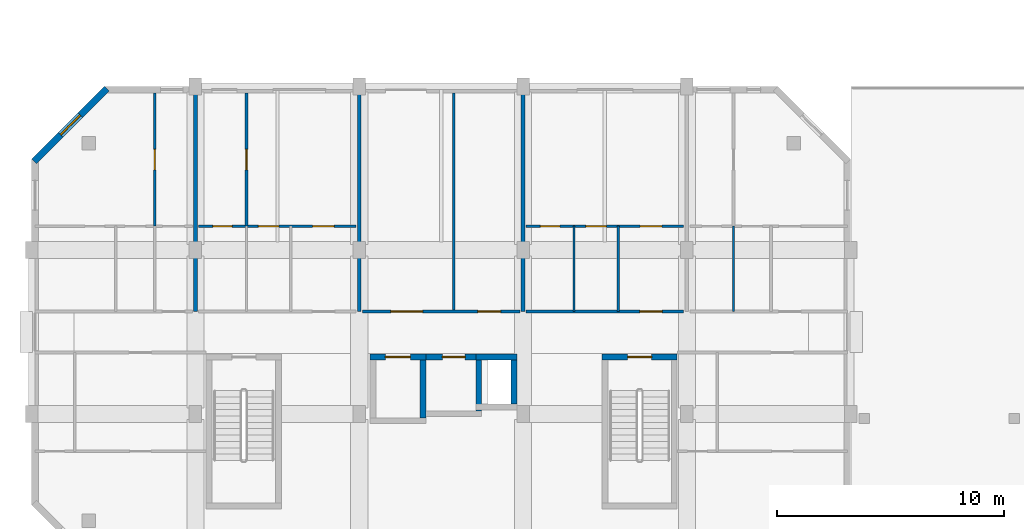
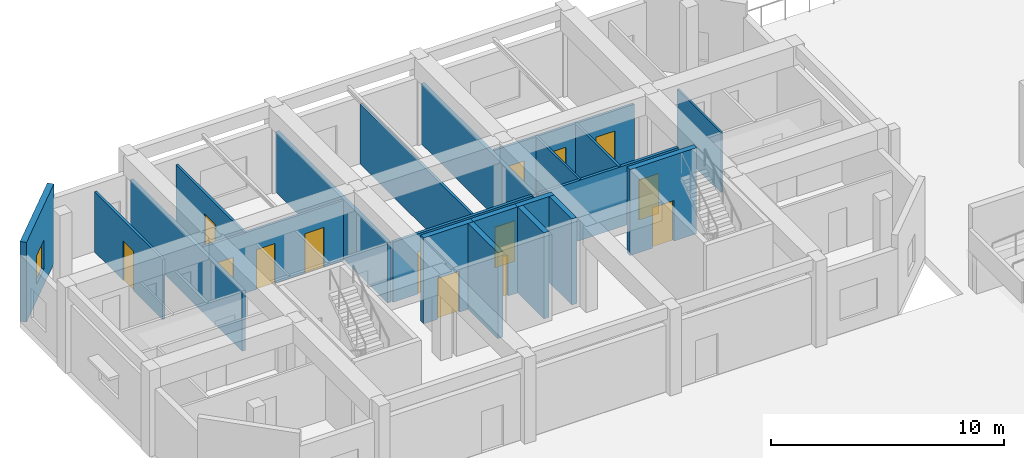
# One storey, part 60 of 85: 21 walls, 14 doors, 1 window, 15 openings.
"""IFC4 building model written with IfcOpenShell, lengths in metres."""

from ifc_helpers import new_model, si_unit, direction, frame, frame_2d, origin, place, context, subcontext, project, spatial, rectangle, extrude, material, layer, layer_set, type_object, element, fill, save


model = new_model("IFC4")

# Units and contexts
model_context = context("Model", 3, precision=1e-05, world=origin(), true_north=direction((0.0, 1.0)))
body_context = subcontext(model_context, "Body", "Model", "MODEL_VIEW")
ifc_project = project(units=[si_unit("LENGTHUNIT", "METRE"), si_unit("AREAUNIT", "SQUARE_METRE"), si_unit("VOLUMEUNIT", "CUBIC_METRE"), si_unit("PLANEANGLEUNIT", "RADIAN"), si_unit("MASSUNIT", "GRAM", prefix="KILO")], contexts=[model_context])

# Site, building, storey
site_placement = place(None, origin())
site = spatial("IfcSite", under=ifc_project, at=site_placement, CompositionType="ELEMENT")
building_placement = place(site_placement, origin())
building = spatial("IfcBuilding", under=site, at=building_placement, Name="Ochrevale Crest", CompositionType="ELEMENT")
storey_placement = place(building_placement, origin())
storey = spatial("IfcBuildingStorey", under=building, at=storey_placement, Name="L00", CompositionType="ELEMENT", Elevation=0.0)

# Wall, openings, doors
ifc_material_1 = material(Name="Gypsum plasterboard", Category="gypsum")
ifc_layer_1 = layer(ifc_material_1, 0.139892578125)
ifc_layer_set_1 = layer_set([ifc_layer_1], Name="Gypsum plasterboard")
wall_type_1 = type_object("IfcWallType", Name="WL-COR-140", PredefinedType="PARTITIONING", material=ifc_layer_set_1)
wall_1_placement = place(storey_placement, frame((14.5400390625, 83.699951171875, 0.0), z_axis=(0.0, 0.0, 1.0), x_axis=(1.0, 0.0, 0.0)))
wall_1 = element("IfcWall", 1, at=wall_1_placement, inside=storey, type_object=wall_type_1, Name="Block B ground lobby corridor wall", PredefinedType="PARTITIONING", context=body_context, shape_type="SweptSolid", body=[
    extrude(rectangle(XDim=6.919921875, YDim=0.139892578125, at=frame_2d((3.4599609375, 0.0))), origin(), (0.0, 0.0, 1.0), 3.14990234375),
])
opening_1_placement = place(wall_1_placement, frame((1.25, 0.0, 0.0)))
opening_1 = element("IfcOpeningElement", 2, at=opening_1_placement, cuts=wall_1, Name="Opening ID10", PredefinedType="OPENING", context=body_context, shape_type="SweptSolid", body=[
    extrude(rectangle(XDim=1.39990234375, YDim=2.219970703125, at=frame_2d((0.699951171875, 1.10986328125))), frame((0.0, 0.080078125, 0.0), z_axis=(0.0, -1.0, 0.0), x_axis=(1.0, 0.0, 0.0)), (0.0, 0.0, 1.0), 0.159912109375),
])
opening_2_placement = place(wall_1_placement, frame((6.070068359375, 0.0, 0.0), z_axis=(0.0, 0.0, 1.0), x_axis=(-1.0, 0.0, 0.0)))
opening_2 = element("IfcOpeningElement", 3, at=opening_2_placement, cuts=wall_1, Name="Opening ID07", PredefinedType="OPENING", context=body_context, shape_type="SweptSolid", body=[
    extrude(rectangle(XDim=1.0, YDim=2.1201171875, at=frame_2d((0.5, 1.06005859375))), frame((0.0, 0.080078125, 0.0), z_axis=(0.0, -1.0, 0.0), x_axis=(1.0, 0.0, 0.0)), (0.0, 0.0, 1.0), 0.159912109375),
])
ifc_material_2 = material(Name="Solid-core FSC hardwood", Category="wood")
door_type_1 = type_object("IfcDoorType", Name="DR-INT-1000", OperationType="NOTDEFINED", PredefinedType="DOOR", material=ifc_material_2)
door_1_placement = place(opening_2_placement, origin())
door_1 = element("IfcDoor", 4, at=door_1_placement, inside=storey, type_object=door_type_1, Name="Block B mail room door", OperationType="SINGLE_SWING_RIGHT", OverallHeight=2.1201171875, OverallWidth=1.0, PredefinedType="DOOR", context=body_context, shape_type="SweptSolid", body=[
    extrude(rectangle(XDim=1.0, YDim=2.1201171875, at=frame_2d((0.5, 1.06005859375))), frame((0.0, 0.02490234375, 0.0), z_axis=(0.0, -1.0, 0.0), x_axis=(1.0, 0.0, 0.0)), (0.0, 0.0, 1.0), 0.050048828125),
])
fill(opening_2, door_1)
door_type_2 = type_object("IfcDoorType", Name="DR-INT-1400", OperationType="NOTDEFINED", PredefinedType="DOOR", material=ifc_material_2)
door_2_placement = place(opening_1_placement, origin())
door_2 = element("IfcDoor", 5, at=door_2_placement, inside=storey, type_object=door_type_2, Name="Block B entrance lobby inner door", OperationType="DOUBLE_DOOR_SINGLE_SWING", OverallHeight=2.219970703125, OverallWidth=1.39990234375, PredefinedType="DOOR", context=body_context, shape_type="SweptSolid", body=[
    extrude(rectangle(XDim=1.39990234375, YDim=2.219970703125, at=frame_2d((0.699951171875, 1.10986328125))), frame((0.0, 0.02490234375, 0.0), z_axis=(0.0, -1.0, 0.0), x_axis=(1.0, 0.0, 0.0)), (0.0, 0.0, 1.0), 0.050048828125),
])
fill(opening_1, door_2)

# Wall, opening, door
wall_2_placement = place(storey_placement, frame((21.739990234375, 83.699951171875, 0.0), z_axis=(0.0, 0.0, 1.0), x_axis=(1.0, 0.0, 0.0)))
wall_2 = element("IfcWall", 6, at=wall_2_placement, inside=storey, type_object=wall_type_1, Name="Apartment B-L00-U4 corridor wall", PredefinedType="PARTITIONING", context=body_context, shape_type="SweptSolid", body=[
    extrude(rectangle(XDim=6.919921875, YDim=0.139892578125, at=frame_2d((3.4599609375, 0.0))), origin(), (0.0, 0.0, 1.0), 3.14990234375),
])
opening_3_placement = place(wall_2_placement, frame((4.9951171875, 0.0, 0.0)))
opening_3 = element("IfcOpeningElement", 7, at=opening_3_placement, cuts=wall_2, Name="Opening FD01", PredefinedType="OPENING", context=body_context, shape_type="SweptSolid", body=[
    extrude(rectangle(XDim=0.97998046875, YDim=2.10009765625, at=frame_2d((0.489990234375, 1.050048828125))), frame((0.0, 0.080078125, 0.0), z_axis=(0.0, -1.0, 0.0), x_axis=(1.0, 0.0, 0.0)), (0.0, 0.0, 1.0), 0.159912109375),
])
door_type_3 = type_object("IfcDoorType", Name="DR-APT-950", OperationType="NOTDEFINED", PredefinedType="DOOR", material=ifc_material_2)
door_3_placement = place(opening_3_placement, origin())
door_3 = element("IfcDoor", 8, at=door_3_placement, inside=storey, type_object=door_type_3, Name="Apartment B-L00-U4 entrance door", OperationType="SINGLE_SWING_LEFT", OverallHeight=2.10009765625, OverallWidth=0.97998046875, PredefinedType="DOOR", context=body_context, shape_type="SweptSolid", body=[
    extrude(rectangle(XDim=0.97998046875, YDim=2.10009765625, at=frame_2d((0.489990234375, 1.050048828125))), frame((0.0, 0.02490234375, 0.0), z_axis=(0.0, -1.0, 0.0), x_axis=(1.0, 0.0, 0.0)), (0.0, 0.0, 1.0), 0.050048828125),
])
fill(opening_3, door_3)

ifc_material_3 = material(Name="Precast concrete C50/60", Category="concrete")
ifc_layer_2 = layer(ifc_material_3, 0.2548828125)
ifc_layer_set_2 = layer_set([ifc_layer_2], Name="Precast concrete C50/60")
wall_type_2 = type_object("IfcWallType", Name="WL-CORE-255", PredefinedType="SHEAR", material=ifc_layer_set_2)
wall_3_placement = place(storey_placement, frame((25.072509765625, 81.699951171875, 0.0), z_axis=(0.0, 0.0, 1.0), x_axis=(1.0, 0.0, 0.0)))
wall_3 = element("IfcWall", 9, at=wall_3_placement, inside=storey, type_object=wall_type_2, Name="Block B L00 Stair 2 precast core shear wall N", PredefinedType="SHEAR", context=body_context, shape_type="SweptSolid", body=[
    extrude(rectangle(XDim=3.304931640625, YDim=0.2548828125, at=frame_2d((1.65234375, 0.0))), origin(), (0.0, 0.0, 1.0), 4.5),
])
opening_4_placement = place(wall_3_placement, frame((1.12744140625, 0.0, 0.0)))
opening_4 = element("IfcOpeningElement", 10, at=opening_4_placement, cuts=wall_3, Name="Opening FD03", PredefinedType="OPENING", context=body_context, shape_type="SweptSolid", body=[
    extrude(rectangle(XDim=1.050048828125, YDim=2.1201171875, at=frame_2d((0.52490234375, 1.06005859375))), frame((0.0, 0.137451171875, 0.0), z_axis=(0.0, -1.0, 0.0), x_axis=(1.0, 0.0, 0.0)), (0.0, 0.0, 1.0), 0.27490234375),
])
door_type_4 = type_object("IfcDoorType", Name="DR-ST-1050", OperationType="NOTDEFINED", PredefinedType="DOOR", material=ifc_material_2)
door_4_placement = place(opening_4_placement, origin())
door_4 = element("IfcDoor", 11, at=door_4_placement, inside=storey, type_object=door_type_4, Name="Block B L00 fire stair 2 door", OperationType="SINGLE_SWING_LEFT", OverallHeight=2.1201171875, OverallWidth=1.050048828125, PredefinedType="DOOR", context=body_context, shape_type="SweptSolid", body=[
    extrude(rectangle(XDim=1.050048828125, YDim=2.1201171875, at=frame_2d((0.52490234375, 1.06005859375))), frame((0.0, 0.02490234375, 0.0), z_axis=(0.0, -1.0, 0.0), x_axis=(1.0, 0.0, 0.0)), (0.0, 0.0, 1.0), 0.050048828125),
])
fill(opening_4, door_4)

wall_4_placement = place(storey_placement, frame((14.87255859375, 81.699951171875, 0.0), z_axis=(0.0, 0.0, 1.0), x_axis=(1.0, 0.0, 0.0)))
wall_4 = element("IfcWall", 12, at=wall_4_placement, inside=storey, type_object=wall_type_2, Name="Block B L00 Lift 1 precast shaft shear wall N", PredefinedType="SHEAR", context=body_context, shape_type="SweptSolid", body=[
    extrude(rectangle(XDim=2.454833984375, YDim=0.2548828125, at=frame_2d((1.2275390625, 0.0))), origin(), (0.0, 0.0, 1.0), 4.5),
])
opening_5_placement = place(wall_4_placement, frame((0.677490234375, 0.0, 0.0)))
opening_5 = element("IfcOpeningElement", 13, at=opening_5_placement, cuts=wall_4, Name="Opening LD01", PredefinedType="OPENING", context=body_context, shape_type="SweptSolid", body=[
    extrude(rectangle(XDim=1.10009765625, YDim=2.14990234375, at=frame_2d((0.550048828125, 1.074951171875))), frame((0.0, 0.137451171875, 0.0), z_axis=(0.0, -1.0, 0.0), x_axis=(1.0, 0.0, 0.0)), (0.0, 0.0, 1.0), 0.27490234375),
])
door_type_5 = type_object("IfcDoorType", Name="DR-LIFT-1100", OperationType="NOTDEFINED", PredefinedType="DOOR", material=ifc_material_2)
door_5_placement = place(opening_5_placement, origin())
door_5 = element("IfcDoor", 14, at=door_5_placement, inside=storey, type_object=door_type_5, Name="Lift LF-B1 L00 sliding landing door", OperationType="SLIDING_TO_LEFT", OverallHeight=2.14990234375, OverallWidth=1.10009765625, PredefinedType="DOOR", context=body_context, shape_type="SweptSolid", body=[
    extrude(rectangle(XDim=1.10009765625, YDim=2.14990234375, at=frame_2d((0.550048828125, 1.074951171875))), frame((0.0, 0.02490234375, 0.0), z_axis=(0.0, -1.0, 0.0), x_axis=(1.0, 0.0, 0.0)), (0.0, 0.0, 1.0), 0.050048828125),
])
fill(opening_5, door_5)

# Wall
wall_5_placement = place(storey_placement, frame((17.199951171875, 79.027587890625, 0.0), z_axis=(0.0, 0.0, 1.0), x_axis=(0.0, 1.0, 0.0)))
element("IfcWall", 15, at=wall_5_placement, inside=storey, type_object=wall_type_2, Name="Block B L00 Lift 1 precast shaft shear wall E", PredefinedType="SHEAR", context=body_context, shape_type="SweptSolid", body=[
    extrude(rectangle(XDim=2.544921875, YDim=0.2548828125, at=frame_2d((1.2724609375, 0.0))), origin(), (0.0, 0.0, 1.0), 4.5),
])

# Wall, opening, door
wall_6_placement = place(storey_placement, frame((17.322509765625, 81.699951171875, 0.0), z_axis=(0.0, 0.0, 1.0), x_axis=(1.0, 0.0, 0.0)))
wall_6 = element("IfcWall", 16, at=wall_6_placement, inside=storey, type_object=wall_type_2, Name="Block B L00 Lift 2 precast shaft shear wall N", PredefinedType="SHEAR", context=body_context, shape_type="SweptSolid", body=[
    extrude(rectangle(XDim=2.455078125, YDim=0.2548828125, at=frame_2d((1.2275390625, 0.0))), origin(), (0.0, 0.0, 1.0), 4.5),
])
opening_6_placement = place(wall_6_placement, frame((0.7275390625, 0.0, 0.0)))
opening_6 = element("IfcOpeningElement", 17, at=opening_6_placement, cuts=wall_6, Name="Opening LD02", PredefinedType="OPENING", context=body_context, shape_type="SweptSolid", body=[
    extrude(rectangle(XDim=1.0, YDim=2.14990234375, at=frame_2d((0.5, 1.074951171875))), frame((0.0, 0.137451171875, 0.0), z_axis=(0.0, -1.0, 0.0), x_axis=(1.0, 0.0, 0.0)), (0.0, 0.0, 1.0), 0.27490234375),
])
door_type_6 = type_object("IfcDoorType", Name="DR-LIFT-1000", OperationType="NOTDEFINED", PredefinedType="DOOR", material=ifc_material_2)
door_6_placement = place(opening_6_placement, origin())
door_6 = element("IfcDoor", 18, at=door_6_placement, inside=storey, type_object=door_type_6, Name="Lift LP-B2 L00 sliding landing door", OperationType="SLIDING_TO_RIGHT", OverallHeight=2.14990234375, OverallWidth=1.0, PredefinedType="DOOR", context=body_context, shape_type="SweptSolid", body=[
    extrude(rectangle(XDim=1.0, YDim=2.14990234375, at=frame_2d((0.5, 1.074951171875))), frame((0.0, 0.02490234375, 0.0), z_axis=(0.0, -1.0, 0.0), x_axis=(1.0, 0.0, 0.0)), (0.0, 0.0, 1.0), 0.050048828125),
])
fill(opening_6, door_6)

# Walls
wall_7_placement = place(storey_placement, frame((19.64990234375, 79.327392578125, 0.0), z_axis=(0.0, 0.0, 1.0), x_axis=(0.0, 1.0, 0.0)))
element("IfcWall", 19, at=wall_7_placement, inside=storey, type_object=wall_type_2, Name="Block B L00 Lift 2 precast shaft shear wall E", PredefinedType="SHEAR", context=body_context, shape_type="SweptSolid", body=[
    extrude(rectangle(XDim=2.2451171875, YDim=0.2548828125, at=frame_2d((1.12255859375, 0.0))), origin(), (0.0, 0.0, 1.0), 4.5),
])
wall_8_placement = place(storey_placement, frame((19.5224609375, 81.699951171875, 0.0), z_axis=(0.0, 0.0, 1.0), x_axis=(1.0, 0.0, 0.0)))
element("IfcWall", 20, at=wall_8_placement, inside=storey, type_object=wall_type_2, Name="Block B L00 services riser shaft core wall N", PredefinedType="SHEAR", context=body_context, shape_type="SweptSolid", body=[
    extrude(rectangle(XDim=1.804931640625, YDim=0.2548828125, at=frame_2d((0.90234375, 0.0))), origin(), (0.0, 0.0, 1.0), 4.5),
])
wall_9_placement = place(storey_placement, frame((21.199951171875, 79.62744140625, 0.0), z_axis=(0.0, 0.0, 1.0), x_axis=(0.0, 1.0, 0.0)))
element("IfcWall", 21, at=wall_9_placement, inside=storey, type_object=wall_type_2, Name="Block B L00 services riser shaft core wall E", PredefinedType="SHEAR", context=body_context, shape_type="SweptSolid", body=[
    extrude(rectangle(XDim=1.945068359375, YDim=0.2548828125, at=frame_2d((0.97265625, 0.0))), origin(), (0.0, 0.0, 1.0), 4.5),
])

# Wall, opening, window
ifc_material_4 = material(Name="Clay face brickwork", Category="masonry")
ifc_layer_3 = layer(ifc_material_4, 0.2900390625)
ifc_layer_set_3 = layer_set([ifc_layer_3], Name="Clay face brickwork")
wall_type_3 = type_object("IfcWallType", Name="WL-EXT-BRICK-290", PredefinedType="SOLIDWALL", material=ifc_layer_set_3)
wall_10_placement = place(storey_placement, frame((3.302490234375, 93.49755859375, 0.0), z_axis=(0.0, 0.0, 1.0), x_axis=(-0.707106781187, -0.707106781187, 0.0)))
wall_10 = element("IfcWall", 22, at=wall_10_placement, inside=storey, type_object=wall_type_3, Name="Block B L00 external facade wall E6", PredefinedType="SOLIDWALL", context=body_context, shape_type="SweptSolid", body=[
    extrude(rectangle(XDim=4.525390625, YDim=0.2900390625, at=frame_2d((2.2626953125, 0.0))), origin(), (0.0, 0.0, 1.0), 4.175048828125),
])
opening_7_placement = place(wall_10_placement, frame((1.652587890625, 0.0, 0.85009765625)))
opening_7 = element("IfcOpeningElement", 23, at=opening_7_placement, cuts=wall_10, Name="Opening W06", PredefinedType="OPENING", context=body_context, shape_type="SweptSolid", body=[
    extrude(rectangle(XDim=1.219970703125, YDim=1.5, at=frame_2d((0.60986328125, 0.75))), frame((0.0, 0.155029296875, 0.0), z_axis=(0.0, -1.0, 0.0), x_axis=(1.0, 0.0, 0.0)), (0.0, 0.0, 1.0), 0.31005859375),
])
ifc_material_5 = material(Name="Anodised aluminium 6063-T5 and low-E double glazing", Category="aluminium")
window_type = type_object("IfcWindowType", Name="WIN-W06", PartitioningType="SINGLE_PANEL", PredefinedType="WINDOW", material=ifc_material_5)
window_placement = place(opening_7_placement, origin())
window = element("IfcWindow", 24, at=window_placement, inside=storey, type_object=window_type, Name="Block B L00 corner room casement window 6", OverallHeight=1.5, OverallWidth=1.219970703125, PartitioningType="SINGLE_PANEL", PredefinedType="WINDOW", context=body_context, shape_type="SweptSolid", body=[
    extrude(rectangle(XDim=1.219970703125, YDim=1.5, at=frame_2d((0.60986328125, 0.75))), frame((0.0, 0.030029296875, 0.0), z_axis=(0.0, -1.0, 0.0), x_axis=(1.0, 0.0, 0.0)), (0.0, 0.0, 1.0), 0.06005859375),
])
fill(opening_7, window)

# Wall, opening, door
ifc_layer_4 = layer(ifc_material_1, 0.1201171875)
ifc_layer_set_4 = layer_set([ifc_layer_4], Name="Gypsum plasterboard")
wall_type_4 = type_object("IfcWallType", Name="WL-PART-120", PredefinedType="PARTITIONING", material=ifc_layer_set_4)
wall_11_placement = place(storey_placement, frame((5.409912109375, 87.449951171875, 0.0), z_axis=(0.0, 0.0, 1.0), x_axis=(0.0, 1.0, 0.0)))
wall_11 = element("IfcWall", 25, at=wall_11_placement, inside=storey, type_object=wall_type_4, Name="Apartment B-L00-U1 bedroom partition", PredefinedType="PARTITIONING", context=body_context, shape_type="SweptSolid", body=[
    extrude(rectangle(XDim=5.85009765625, YDim=0.1201171875, at=frame_2d((2.925048828125, 0.0))), origin(), (0.0, 0.0, 1.0), 3.14990234375),
])
opening_8_placement = place(wall_11_placement, frame((3.375, 0.0, 0.0), z_axis=(0.0, 0.0, 1.0), x_axis=(-1.0, 0.0, 0.0)))
opening_8 = element("IfcOpeningElement", 26, at=opening_8_placement, cuts=wall_11, Name="Opening ID02", PredefinedType="OPENING", context=body_context, shape_type="SweptSolid", body=[
    extrude(rectangle(XDim=0.89990234375, YDim=2.080078125, at=frame_2d((0.449951171875, 1.0400390625))), frame((0.0, 0.070068359375, 0.0), z_axis=(0.0, -1.0, 0.0), x_axis=(1.0, 0.0, 0.0)), (0.0, 0.0, 1.0), 0.14013671875),
])
door_type_7 = type_object("IfcDoorType", Name="DR-INT-900", OperationType="NOTDEFINED", PredefinedType="DOOR", material=ifc_material_2)
door_7_placement = place(opening_8_placement, origin())
door_7 = element("IfcDoor", 27, at=door_7_placement, inside=storey, type_object=door_type_7, Name="Apartment B-L00-U1 Master Bedroom door", OperationType="SINGLE_SWING_RIGHT", OverallHeight=2.080078125, OverallWidth=0.89990234375, PredefinedType="DOOR", context=body_context, shape_type="SweptSolid", body=[
    extrude(rectangle(XDim=0.89990234375, YDim=2.080078125, at=frame_2d((0.449951171875, 1.0400390625))), frame((0.0, 0.02490234375, 0.0), z_axis=(0.0, -1.0, 0.0), x_axis=(1.0, 0.0, 0.0)), (0.0, 0.0, 1.0), 0.050048828125),
])
fill(opening_8, door_7)

# Wall, openings, doors
wall_12_placement = place(storey_placement, frame((7.340087890625, 87.449951171875, 0.0), z_axis=(0.0, 0.0, 1.0), x_axis=(1.0, 0.0, 0.0)))
wall_12 = element("IfcWall", 28, at=wall_12_placement, inside=storey, type_object=wall_type_4, Name="Apartment B-L00-U2 central partition", PredefinedType="PARTITIONING", context=body_context, shape_type="SweptSolid", body=[
    extrude(rectangle(XDim=6.919921875, YDim=0.1201171875, at=frame_2d((3.4599609375, 0.0))), origin(), (0.0, 0.0, 1.0), 3.14990234375),
])
opening_9_placement = place(wall_12_placement, frame((1.47509765625, 0.0, 0.0), z_axis=(0.0, 0.0, 1.0), x_axis=(-1.0, 0.0, 0.0)))
opening_9 = element("IfcOpeningElement", 29, at=opening_9_placement, cuts=wall_12, Name="Opening ID01", PredefinedType="OPENING", context=body_context, shape_type="SweptSolid", body=[
    extrude(rectangle(XDim=0.85009765625, YDim=2.080078125, at=frame_2d((0.425048828125, 1.0400390625))), frame((0.0, 0.070068359375, 0.0), z_axis=(0.0, -1.0, 0.0), x_axis=(1.0, 0.0, 0.0)), (0.0, 0.0, 1.0), 0.14013671875),
])
opening_10_placement = place(wall_12_placement, frame((2.625, 0.0, 0.0)))
opening_10 = element("IfcOpeningElement", 30, at=opening_10_placement, cuts=wall_12, Name="Opening ID02", PredefinedType="OPENING", context=body_context, shape_type="SweptSolid", body=[
    extrude(rectangle(XDim=0.89990234375, YDim=2.080078125, at=frame_2d((0.449951171875, 1.0400390625))), frame((0.0, 0.070068359375, 0.0), z_axis=(0.0, -1.0, 0.0), x_axis=(1.0, 0.0, 0.0)), (0.0, 0.0, 1.0), 0.14013671875),
])
opening_11_placement = place(wall_12_placement, frame((5.9599609375, 0.0, 0.0), z_axis=(0.0, 0.0, 1.0), x_axis=(-1.0, 0.0, 0.0)))
opening_11 = element("IfcOpeningElement", 31, at=opening_11_placement, cuts=wall_12, Name="Opening ID06", PredefinedType="OPENING", context=body_context, shape_type="SweptSolid", body=[
    extrude(rectangle(XDim=0.949951171875, YDim=2.080078125, at=frame_2d((0.47509765625, 1.0400390625))), frame((0.0, 0.070068359375, 0.0), z_axis=(0.0, -1.0, 0.0), x_axis=(1.0, 0.0, 0.0)), (0.0, 0.0, 1.0), 0.14013671875),
])
door_8_placement = place(opening_10_placement, origin())
door_8 = element("IfcDoor", 32, at=door_8_placement, inside=storey, type_object=door_type_7, Name="Apartment B-L00-U2 Kitchen door", OperationType="SINGLE_SWING_LEFT", OverallHeight=2.080078125, OverallWidth=0.89990234375, PredefinedType="DOOR", context=body_context, shape_type="SweptSolid", body=[
    extrude(rectangle(XDim=0.89990234375, YDim=2.080078125, at=frame_2d((0.449951171875, 1.0400390625))), frame((0.0, 0.02490234375, 0.0), z_axis=(0.0, -1.0, 0.0), x_axis=(1.0, 0.0, 0.0)), (0.0, 0.0, 1.0), 0.050048828125),
])
fill(opening_10, door_8)
door_type_8 = type_object("IfcDoorType", Name="DR-INT-950", OperationType="NOTDEFINED", PredefinedType="DOOR", material=ifc_material_2)
door_9_placement = place(opening_11_placement, origin())
door_9 = element("IfcDoor", 33, at=door_9_placement, inside=storey, type_object=door_type_8, Name="Apartment B-L00-U2 Living Foyer door", OperationType="SINGLE_SWING_RIGHT", OverallHeight=2.080078125, OverallWidth=0.949951171875, PredefinedType="DOOR", context=body_context, shape_type="SweptSolid", body=[
    extrude(rectangle(XDim=0.949951171875, YDim=2.080078125, at=frame_2d((0.47509765625, 1.0400390625))), frame((0.0, 0.02490234375, 0.0), z_axis=(0.0, -1.0, 0.0), x_axis=(1.0, 0.0, 0.0)), (0.0, 0.0, 1.0), 0.050048828125),
])
fill(opening_11, door_9)
door_type_9 = type_object("IfcDoorType", Name="DR-WC-850", OperationType="NOTDEFINED", PredefinedType="DOOR", material=ifc_material_2)
door_10_placement = place(opening_9_placement, origin())
door_10 = element("IfcDoor", 34, at=door_10_placement, inside=storey, type_object=door_type_9, Name="Apartment B-L00-U2 Bathroom door", OperationType="SINGLE_SWING_RIGHT", OverallHeight=2.080078125, OverallWidth=0.85009765625, PredefinedType="DOOR", context=body_context, shape_type="SweptSolid", body=[
    extrude(rectangle(XDim=0.85009765625, YDim=2.080078125, at=frame_2d((0.425048828125, 1.0400390625))), frame((0.0, 0.02490234375, 0.0), z_axis=(0.0, -1.0, 0.0), x_axis=(1.0, 0.0, 0.0)), (0.0, 0.0, 1.0), 0.050048828125),
])
fill(opening_9, door_10)

# Wall, opening, door
wall_13_placement = place(storey_placement, frame((9.43994140625, 87.449951171875, 0.0), z_axis=(0.0, 0.0, 1.0), x_axis=(0.0, 1.0, 0.0)))
wall_13 = element("IfcWall", 35, at=wall_13_placement, inside=storey, type_object=wall_type_4, Name="Apartment B-L00-U2 bedroom partition", PredefinedType="PARTITIONING", context=body_context, shape_type="SweptSolid", body=[
    extrude(rectangle(XDim=5.85009765625, YDim=0.1201171875, at=frame_2d((2.925048828125, 0.0))), origin(), (0.0, 0.0, 1.0), 3.14990234375),
])
opening_12_placement = place(wall_13_placement, frame((2.47509765625, 0.0, 0.0)))
opening_12 = element("IfcOpeningElement", 36, at=opening_12_placement, cuts=wall_13, Name="Opening ID02", PredefinedType="OPENING", context=body_context, shape_type="SweptSolid", body=[
    extrude(rectangle(XDim=0.89990234375, YDim=2.080078125, at=frame_2d((0.449951171875, 1.0400390625))), frame((0.0, 0.070068359375, 0.0), z_axis=(0.0, -1.0, 0.0), x_axis=(1.0, 0.0, 0.0)), (0.0, 0.0, 1.0), 0.14013671875),
])
door_11_placement = place(opening_12_placement, origin())
door_11 = element("IfcDoor", 37, at=door_11_placement, inside=storey, type_object=door_type_7, Name="Apartment B-L00-U2 Master Bedroom door", OperationType="SINGLE_SWING_LEFT", OverallHeight=2.080078125, OverallWidth=0.89990234375, PredefinedType="DOOR", context=body_context, shape_type="SweptSolid", body=[
    extrude(rectangle(XDim=0.89990234375, YDim=2.080078125, at=frame_2d((0.449951171875, 1.0400390625))), frame((0.0, 0.02490234375, 0.0), z_axis=(0.0, -1.0, 0.0), x_axis=(1.0, 0.0, 0.0)), (0.0, 0.0, 1.0), 0.050048828125),
])
fill(opening_12, door_11)

# Walls
wall_14_placement = place(storey_placement, frame((18.5537109375, 83.699951171875, 0.0), z_axis=(0.0, 0.0, 1.0), x_axis=(0.0, 1.0, 0.0)))
element("IfcWall", 38, at=wall_14_placement, inside=storey, type_object=wall_type_4, Name="Block B lobby-mail divider", PredefinedType="PARTITIONING", context=body_context, shape_type="SweptSolid", body=[
    extrude(rectangle(XDim=9.60009765625, YDim=0.1201171875, at=frame_2d((4.800048828125, 0.0))), origin(), (0.0, 0.0, 1.0), 3.14990234375),
])
wall_15_placement = place(storey_placement, frame((25.7900390625, 83.699951171875, 0.0), z_axis=(0.0, 0.0, 1.0), x_axis=(0.0, 1.0, 0.0)))
element("IfcWall", 39, at=wall_15_placement, inside=storey, type_object=wall_type_4, Name="Apartment B-L00-U4 kitchen-foyer wall", PredefinedType="PARTITIONING", context=body_context, shape_type="SweptSolid", body=[
    extrude(rectangle(XDim=3.75, YDim=0.1201171875, at=frame_2d((1.875, 0.0))), origin(), (0.0, 0.0, 1.0), 3.14990234375),
])

# Wall, openings, doors
wall_16_placement = place(storey_placement, frame((21.739990234375, 87.449951171875, 0.0), z_axis=(0.0, 0.0, 1.0), x_axis=(1.0, 0.0, 0.0)))
wall_16 = element("IfcWall", 40, at=wall_16_placement, inside=storey, type_object=wall_type_4, Name="Apartment B-L00-U4 central partition", PredefinedType="PARTITIONING", context=body_context, shape_type="SweptSolid", body=[
    extrude(rectangle(XDim=6.919921875, YDim=0.1201171875, at=frame_2d((3.4599609375, 0.0))), origin(), (0.0, 0.0, 1.0), 3.14990234375),
])
opening_13_placement = place(wall_16_placement, frame((1.47509765625, 0.0, 0.0), z_axis=(0.0, 0.0, 1.0), x_axis=(-1.0, 0.0, 0.0)))
opening_13 = element("IfcOpeningElement", 41, at=opening_13_placement, cuts=wall_16, Name="Opening ID01", PredefinedType="OPENING", context=body_context, shape_type="SweptSolid", body=[
    extrude(rectangle(XDim=0.85009765625, YDim=2.080078125, at=frame_2d((0.425048828125, 1.0400390625))), frame((0.0, 0.070068359375, 0.0), z_axis=(0.0, -1.0, 0.0), x_axis=(1.0, 0.0, 0.0)), (0.0, 0.0, 1.0), 0.14013671875),
])
opening_14_placement = place(wall_16_placement, frame((2.625, 0.0, 0.0)))
opening_14 = element("IfcOpeningElement", 42, at=opening_14_placement, cuts=wall_16, Name="Opening ID02", PredefinedType="OPENING", context=body_context, shape_type="SweptSolid", body=[
    extrude(rectangle(XDim=0.89990234375, YDim=2.080078125, at=frame_2d((0.449951171875, 1.0400390625))), frame((0.0, 0.070068359375, 0.0), z_axis=(0.0, -1.0, 0.0), x_axis=(1.0, 0.0, 0.0)), (0.0, 0.0, 1.0), 0.14013671875),
])
opening_15_placement = place(wall_16_placement, frame((5.9599609375, 0.0, 0.0), z_axis=(0.0, 0.0, 1.0), x_axis=(-1.0, 0.0, 0.0)))
opening_15 = element("IfcOpeningElement", 43, at=opening_15_placement, cuts=wall_16, Name="Opening ID06", PredefinedType="OPENING", context=body_context, shape_type="SweptSolid", body=[
    extrude(rectangle(XDim=0.949951171875, YDim=2.080078125, at=frame_2d((0.47509765625, 1.0400390625))), frame((0.0, 0.070068359375, 0.0), z_axis=(0.0, -1.0, 0.0), x_axis=(1.0, 0.0, 0.0)), (0.0, 0.0, 1.0), 0.14013671875),
])
door_12_placement = place(opening_14_placement, origin())
door_12 = element("IfcDoor", 44, at=door_12_placement, inside=storey, type_object=door_type_7, Name="Apartment B-L00-U4 Kitchen door", OperationType="SINGLE_SWING_LEFT", OverallHeight=2.080078125, OverallWidth=0.89990234375, PredefinedType="DOOR", context=body_context, shape_type="SweptSolid", body=[
    extrude(rectangle(XDim=0.89990234375, YDim=2.080078125, at=frame_2d((0.449951171875, 1.0400390625))), frame((0.0, 0.02490234375, 0.0), z_axis=(0.0, -1.0, 0.0), x_axis=(1.0, 0.0, 0.0)), (0.0, 0.0, 1.0), 0.050048828125),
])
fill(opening_14, door_12)
door_13_placement = place(opening_15_placement, origin())
door_13 = element("IfcDoor", 45, at=door_13_placement, inside=storey, type_object=door_type_8, Name="Apartment B-L00-U4 Living Foyer door", OperationType="SINGLE_SWING_RIGHT", OverallHeight=2.080078125, OverallWidth=0.949951171875, PredefinedType="DOOR", context=body_context, shape_type="SweptSolid", body=[
    extrude(rectangle(XDim=0.949951171875, YDim=2.080078125, at=frame_2d((0.47509765625, 1.0400390625))), frame((0.0, 0.02490234375, 0.0), z_axis=(0.0, -1.0, 0.0), x_axis=(1.0, 0.0, 0.0)), (0.0, 0.0, 1.0), 0.050048828125),
])
fill(opening_15, door_13)
door_14_placement = place(opening_13_placement, origin())
door_14 = element("IfcDoor", 46, at=door_14_placement, inside=storey, type_object=door_type_9, Name="Apartment B-L00-U4 Bathroom door", OperationType="SINGLE_SWING_RIGHT", OverallHeight=2.080078125, OverallWidth=0.85009765625, PredefinedType="DOOR", context=body_context, shape_type="SweptSolid", body=[
    extrude(rectangle(XDim=0.85009765625, YDim=2.080078125, at=frame_2d((0.425048828125, 1.0400390625))), frame((0.0, 0.02490234375, 0.0), z_axis=(0.0, -1.0, 0.0), x_axis=(1.0, 0.0, 0.0)), (0.0, 0.0, 1.0), 0.050048828125),
])
fill(opening_13, door_14)

# Walls
ifc_layer_5 = layer(ifc_material_1, 0.169921875)
ifc_layer_set_5 = layer_set([ifc_layer_5], Name="Gypsum plasterboard")
wall_type_5 = type_object("IfcWallType", Name="WL-TEN-170", PredefinedType="PARTITIONING", material=ifc_layer_set_5)
for number, where, z_axis, x_axis, name in (
    (47, (7.199951171875, 83.699951171875, 0.0), (0.0, 0.0, 1.0), (0.0, 1.0, 0.0), "Block B L00 inter-tenancy wall 1"),
    (48, (14.39990234375, 83.699951171875, 0.0), (0.0, 0.0, 1.0), (0.0, 1.0, 0.0), "Block B L00 inter-tenancy wall 2"),
    (49, (21.60009765625, 83.699951171875, 0.0), (0.0, 0.0, 1.0), (0.0, 1.0, 0.0), "Block B L00 inter-tenancy wall 3"),
):
    element("IfcWall", number, at=place(storey_placement, frame(where, z_axis=z_axis, x_axis=x_axis)), inside=storey, type_object=wall_type_5, Name=name, PredefinedType="PARTITIONING", context=body_context, shape_type="SweptSolid", body=[
        extrude(rectangle(XDim=9.60009765625, YDim=0.169921875, at=frame_2d((4.800048828125, 0.0))), origin(), (0.0, 0.0, 1.0), 3.14990234375),
    ])
ifc_layer_6 = layer(ifc_material_1, 0.10009765625)
ifc_layer_set_6 = layer_set([ifc_layer_6], Name="Gypsum plasterboard")
wall_type_6 = type_object("IfcWallType", Name="WL-WET-100", PredefinedType="PARTITIONING", material=ifc_layer_set_6)
for number, where, z_axis, x_axis, name in (
    (50, (23.840087890625, 83.699951171875, 0.0), (0.0, 0.0, 1.0), (0.0, 1.0, 0.0), "Apartment B-L00-U4 bath-kitchen wall"),
    (51, (30.85009765625, 83.699951171875, 0.0), (0.0, 0.0, 1.0), (0.0, 1.0, 0.0), "Apartment B-L00-U5 bath-kitchen wall"),
):
    element("IfcWall", number, at=place(storey_placement, frame(where, z_axis=z_axis, x_axis=x_axis)), inside=storey, type_object=wall_type_6, Name=name, PredefinedType="PARTITIONING", context=body_context, shape_type="SweptSolid", body=[
        extrude(rectangle(XDim=3.75, YDim=0.10009765625, at=frame_2d((1.875, 0.0))), origin(), (0.0, 0.0, 1.0), 3.14990234375),
    ])

save(model, "model.ifc")
